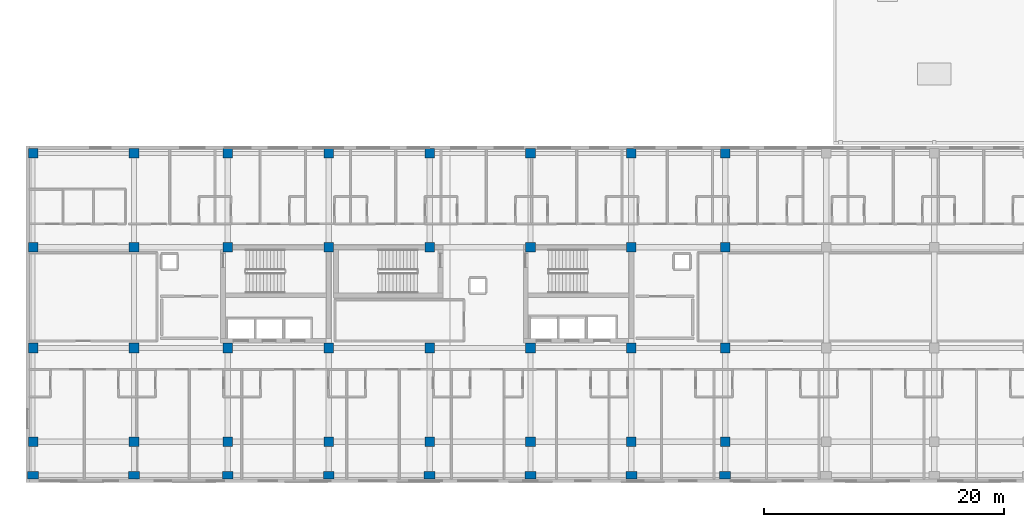
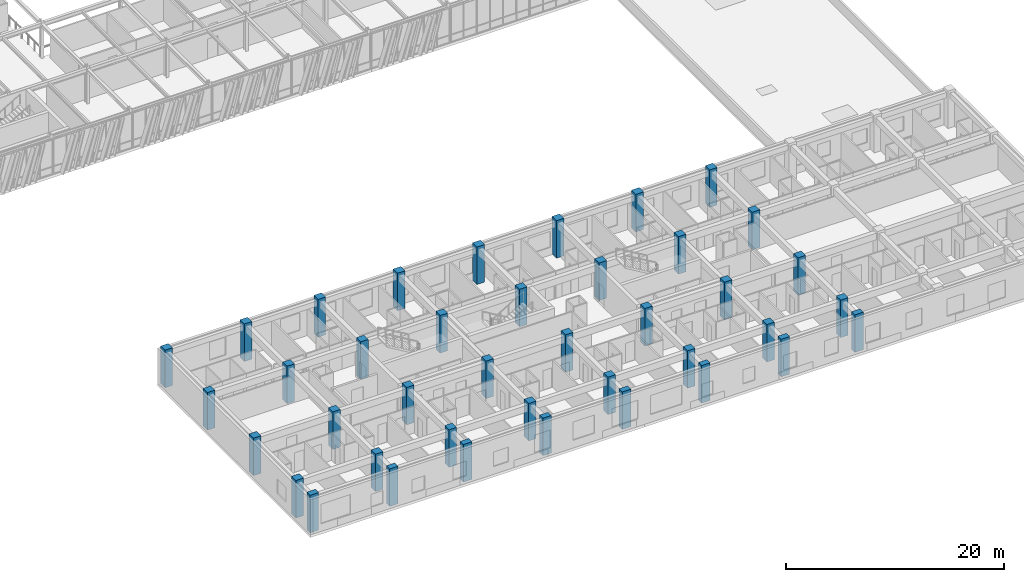
# One storey, part 1 of 127: 40 columns.
"""IFC4 building model written with IfcOpenShell, lengths in metres."""

import ifcopenshell
import ifcopenshell.guid

model = None  # the IFC model being written
_history = None  # IfcOwnerHistory: only IFC2X3 demands one
_inside = {}  # id of a spatial element -> (the spatial element, [elements in it])
_under = {}  # id of a project, library or spatial element -> (it, [spatial elements below it])
_declared = {}  # id of a project -> (the project, [libraries it declares])
_typed = {}  # id of a type object -> (the type object, [elements of that type])
_made_of = {}  # id of a material, layer set ... -> (it, [elements and type objects made of it])


def new_model(schema):
    """Start an empty IFC model of exactly this schema.

    Asked for "IFC4X3", IfcOpenShell would pick the latest addendum, in which some entities
    have other attributes; the version numbers below select the first issue.
    IFC2X3 requires an IfcOwnerHistory on every rooted entity: one is made here for all.
    """
    global model, _history
    if schema == "IFC4X3":
        model = ifcopenshell.file(schema_version=(4, 3, 0, 0))
    else:
        model = ifcopenshell.file(schema=schema)
    _inside.clear()
    _under.clear()
    _declared.clear()
    _typed.clear()
    _made_of.clear()
    _history = None
    if model.schema == "IFC2X3":
        org = make("IfcOrganization", Name="unknown")
        user = make(
            "IfcPersonAndOrganization",
            ThePerson=make("IfcPerson", FamilyName="unknown"),
            TheOrganization=org,
        )
        app = make(
            "IfcApplication",
            ApplicationDeveloper=org,
            Version="unknown",
            ApplicationFullName="unknown",
            ApplicationIdentifier="unknown",
        )
        _history = make(
            "IfcOwnerHistory",
            OwningUser=user,
            OwningApplication=app,
            ChangeAction="ADDED",
            CreationDate=0,
        )
    return model


def make(cls, **values):
    """One entity of the class cls with the attributes given. An attribute that is None is left unset."""
    return model.create_entity(
        cls, **{name: value for name, value in values.items() if value is not None}
    )


def rooted(cls, **values):
    """An entity with a GlobalId (a new one), such as an element, a storey or a relation."""
    return make(cls, GlobalId=ifcopenshell.guid.new(), OwnerHistory=_history, **values)


def si_unit(unit_type, name, prefix=None):
    """IfcSIUnit, for example si_unit("LENGTHUNIT", "METRE", prefix="MILLI")."""
    return make("IfcSIUnit", UnitType=unit_type, Prefix=prefix, Name=name)


def assignment(units):
    """IfcUnitAssignment: the units of a project."""
    return None if units is None else make("IfcUnitAssignment", Units=units)


def point(xyz):
    """IfcCartesianPoint."""
    return None if xyz is None else make("IfcCartesianPoint", Coordinates=xyz)


def direction(xyz):
    """IfcDirection."""
    return None if xyz is None else make("IfcDirection", DirectionRatios=xyz)


def frame(location, z_axis=None, x_axis=None):
    """IfcAxis2Placement3D, a coordinate frame: its origin and axes. An axis left out is left unset."""
    return make(
        "IfcAxis2Placement3D",
        Location=point(location),
        Axis=direction(z_axis),
        RefDirection=direction(x_axis),
    )


def frame_2d(location, x_axis=None):
    """IfcAxis2Placement2D, a coordinate frame in the plane: its origin and x axis."""
    return make(
        "IfcAxis2Placement2D", Location=point(location), RefDirection=direction(x_axis)
    )


def origin():
    """The frame at (0, 0, 0) with its axes left unset."""
    return frame((0.0, 0.0, 0.0))


def origin_2d():
    """The frame at (0, 0) in the plane with its x axis left unset."""
    return frame_2d((0.0, 0.0))


def place(relative_to, where):
    """IfcLocalPlacement: puts the frame where relative to a parent placement (None: the world)."""
    return make(
        "IfcLocalPlacement", PlacementRelTo=relative_to, RelativePlacement=where
    )


def context(
    kind, dimensions, precision=None, world=None, true_north=None, identifier=None
):
    """IfcGeometricRepresentationContext, for example the 3D "Model" context."""
    return make(
        "IfcGeometricRepresentationContext",
        ContextIdentifier=identifier,
        ContextType=kind,
        CoordinateSpaceDimension=dimensions,
        Precision=precision,
        WorldCoordinateSystem=world,
        TrueNorth=true_north,
    )


def subcontext(parent, identifier, kind, view, scale=None):
    """IfcGeometricRepresentationSubContext, for example "Body" below "Model"."""
    return make(
        "IfcGeometricRepresentationSubContext",
        ContextIdentifier=identifier,
        ContextType=kind,
        ParentContext=parent,
        TargetScale=scale,
        TargetView=view,
    )


def project(units=None, contexts=None):
    """IfcProject with its units and contexts."""
    return rooted(
        "IfcProject",
        Name="project",
        RepresentationContexts=contexts,
        UnitsInContext=assignment(units),
    )


def spatial(cls, under=None, at=None, **own):
    """A site, building, storey or space (cls), placed at a placement, below another one or the project."""
    s = rooted(cls, ObjectPlacement=at, **own)
    if under is not None:
        _under.setdefault(under.id(), (under, []))[1].append(s)
    return s


def profile(cls, at=None, kind="AREA", **sizes):
    """A parametric profile (cls). Its sizes go by their IFC names, for example OverallWidth=200.0."""
    return make(cls, ProfileType=kind, Position=at, **sizes)


def rectangle(**sizes):
    """IfcRectangleProfileDef."""
    return profile("IfcRectangleProfileDef", **sizes)


def extrude(swept, where, along, depth):
    """IfcExtrudedAreaSolid: the profile swept, set in the frame where, extruded along a direction by depth."""
    return make(
        "IfcExtrudedAreaSolid",
        SweptArea=swept,
        Position=where,
        ExtrudedDirection=direction(along),
        Depth=depth,
    )


def shape(context_of_items, identifier, shape_type, items):
    """IfcShapeRepresentation: the items that make up one representation, for example the "Body"."""
    return make(
        "IfcShapeRepresentation",
        ContextOfItems=context_of_items,
        RepresentationIdentifier=identifier,
        RepresentationType=shape_type,
        Items=items,
    )


def material(Name=None, Category=None):
    """IfcMaterial."""
    return make("IfcMaterial", Name=Name, Category=Category)


def material_profile(
    of_material, cross_section, Name=None, Category=None, Priority=None
):
    """IfcMaterialProfile: a cross section and its material."""
    return make(
        "IfcMaterialProfile",
        Name=Name,
        Material=of_material,
        Profile=cross_section,
        Priority=Priority,
        Category=Category,
    )


def profile_set(profiles, Name=None, composite=None):
    """IfcMaterialProfileSet."""
    return make(
        "IfcMaterialProfileSet",
        Name=Name,
        MaterialProfiles=profiles,
        CompositeProfile=composite,
    )


def made_of(thing, what):
    """Note that an element or type object is made of a material, layer set ...; save() writes the relation."""
    if what is not None:
        _made_of.setdefault(what.id(), (what, []))[1].append(thing)
    return thing


def type_object(cls, material=None, **own):
    """A type object (cls), such as IfcWallType, which elements share."""
    return made_of(rooted(cls, **own), material)


def element(
    cls,
    number,
    at=None,
    inside=None,
    cuts=None,
    type_object=None,
    material=None,
    context=None,
    identifier="Body",
    shape_type=None,
    held_by="IfcProductDefinitionShape",
    body=None,
    shapes=None,
    **own,
):
    """One element of the class cls, such as IfcWall. Its Tag is "e" and its number.

    at: its placement. inside: the storey or other place that contains it. cuts: it is an
    opening in that element (IfcRelVoidsElement). A single representation is given by context,
    identifier, shape_type and body (its items); several are given by shapes. held_by: the class
    of the entity that holds the representations. save() writes the other relations.
    """
    e = rooted(cls, Tag="e%d" % number, ObjectPlacement=at, **own)
    if body is not None:
        shapes = [shape(context, identifier, shape_type, body)]
    if shapes is not None:
        e.Representation = make(held_by, Representations=shapes)
    if inside is not None:
        _inside.setdefault(inside.id(), (inside, []))[1].append(e)
    if cuts is not None:
        rooted(
            "IfcRelVoidsElement", RelatingBuildingElement=cuts, RelatedOpeningElement=e
        )
    if type_object is not None:
        _typed.setdefault(type_object.id(), (type_object, []))[1].append(e)
    return made_of(e, material)


def aggregate(whole, parts):
    """IfcRelAggregates: a whole, such as a stair, and the parts it consists of."""
    return rooted("IfcRelAggregates", RelatingObject=whole, RelatedObjects=parts)


def save(model, path):
    """Write the relations noted so far, then the file.

    IfcRelAggregates (storeys below a building ...), IfcRelContainedInSpatialStructure (elements
    in a storey), IfcRelDefinesByType, IfcRelAssociatesMaterial and IfcRelDeclares: one each for
    every whole, place, type object, material and project.
    """
    for whole, parts in _under.values():
        aggregate(whole, parts)
    for where, things in _inside.values():
        rooted(
            "IfcRelContainedInSpatialStructure",
            RelatedElements=things,
            RelatingStructure=where,
        )
    for kind, things in _typed.values():
        rooted("IfcRelDefinesByType", RelatedObjects=things, RelatingType=kind)
    for what, things in _made_of.values():
        rooted("IfcRelAssociatesMaterial", RelatedObjects=things, RelatingMaterial=what)
    for by, libraries in _declared.values():
        rooted("IfcRelDeclares", RelatingContext=by, RelatedDefinitions=libraries)
    model.write(path)


model = new_model("IFC4")

# Units and contexts
model_context = context("Model", 3, precision=1e-05, world=origin(), true_north=direction((0.0, 1.0)))
body_context = subcontext(model_context, "Body", "Model", "MODEL_VIEW")
ifc_project = project(units=[si_unit("LENGTHUNIT", "METRE"), si_unit("AREAUNIT", "SQUARE_METRE"), si_unit("VOLUMEUNIT", "CUBIC_METRE"), si_unit("PLANEANGLEUNIT", "RADIAN"), si_unit("MASSUNIT", "GRAM", prefix="KILO")], contexts=[model_context])

# Site, building, storey
site_placement = place(None, origin())
site = spatial("IfcSite", under=ifc_project, at=site_placement, CompositionType="ELEMENT")
building_placement = place(site_placement, origin())
building = spatial("IfcBuilding", under=site, at=building_placement, Name="Zayran Congress Hotel", CompositionType="ELEMENT")
storey_placement = place(building_placement, frame((0.0, 0.0, 10.800048828125)))
storey = spatial("IfcBuildingStorey", under=building, at=storey_placement, Name="L02", CompositionType="ELEMENT", Elevation=10.800048828125)

# Columns
ifc_material = material(Name="Concrete C40/50", Category="concrete")
ifc_material_profile_1 = material_profile(ifc_material, rectangle(XDim=0.800048828125, YDim=0.800048828125, at=origin_2d()), Name="RC 800x800")
ifc_profile_set_1 = profile_set([ifc_material_profile_1], Name="Concrete C40/50")
column_type_1 = type_object("IfcColumnType", Name="TP-CL-02", PredefinedType="COLUMN", material=ifc_profile_set_1)
for number, where, z_axis, x_axis, name in (
    (1, (9.0, 9.39990234375, 0.0), (0.0, 0.0, 1.0), (1.0, 0.0, 0.0), "COL-V5-L02-0988"),
    (2, (9.0, 17.199951171875, 0.0), (0.0, 0.0, 1.0), (1.0, 0.0, 0.0), "COL-V5-L02-0989"),
    (3, (9.0, 25.60009765625, 0.0), (0.0, 0.0, 1.0), (1.0, 0.0, 0.0), "COL-V5-L02-0990"),
    (4, (9.0, 33.39990234375, 0.0), (0.0, 0.0, 1.0), (1.0, 0.0, 0.0), "COL-V5-L02-0991"),
    (5, (17.39990234375, 9.39990234375, 0.0), (0.0, 0.0, 1.0), (1.0, 0.0, 0.0), "COL-V5-L02-0993"),
    (6, (17.39990234375, 17.199951171875, 0.0), (0.0, 0.0, 1.0), (1.0, 0.0, 0.0), "COL-V5-L02-0994"),
    (7, (17.39990234375, 25.60009765625, 0.0), (0.0, 0.0, 1.0), (1.0, 0.0, 0.0), "COL-V5-L02-0995"),
    (8, (17.39990234375, 33.39990234375, 0.0), (0.0, 0.0, 1.0), (1.0, 0.0, 0.0), "COL-V5-L02-0996"),
    (9, (25.199951171875, 9.39990234375, 0.0), (0.0, 0.0, 1.0), (1.0, 0.0, 0.0), "COL-V5-L02-0998"),
    (10, (25.199951171875, 17.199951171875, 0.0), (0.0, 0.0, 1.0), (1.0, 0.0, 0.0), "COL-V5-L02-0999"),
    (11, (25.199951171875, 25.60009765625, 0.0), (0.0, 0.0, 1.0), (1.0, 0.0, 0.0), "COL-V5-L02-1000"),
    (12, (25.199951171875, 33.39990234375, 0.0), (0.0, 0.0, 1.0), (1.0, 0.0, 0.0), "COL-V5-L02-1001"),
    (13, (33.60009765625, 9.39990234375, 0.0), (0.0, 0.0, 1.0), (1.0, 0.0, 0.0), "COL-V5-L02-1003"),
    (14, (33.60009765625, 17.199951171875, 0.0), (0.0, 0.0, 1.0), (1.0, 0.0, 0.0), "COL-V5-L02-1004"),
    (15, (33.60009765625, 25.60009765625, 0.0), (0.0, 0.0, 1.0), (1.0, 0.0, 0.0), "COL-V5-L02-1005"),
    (16, (33.60009765625, 33.39990234375, 0.0), (0.0, 0.0, 1.0), (1.0, 0.0, 0.0), "COL-V5-L02-1006"),
    (17, (42.0, 9.39990234375, 0.0), (0.0, 0.0, 1.0), (1.0, 0.0, 0.0), "COL-V5-L02-1008"),
    (18, (42.0, 17.199951171875, 0.0), (0.0, 0.0, 1.0), (1.0, 0.0, 0.0), "COL-V5-L02-1009"),
    (19, (42.0, 25.60009765625, 0.0), (0.0, 0.0, 1.0), (1.0, 0.0, 0.0), "COL-V5-L02-1010"),
    (20, (42.0, 33.39990234375, 0.0), (0.0, 0.0, 1.0), (1.0, 0.0, 0.0), "COL-V5-L02-1011"),
    (21, (50.39990234375, 9.39990234375, 0.0), (0.0, 0.0, 1.0), (1.0, 0.0, 0.0), "COL-V5-L02-1013"),
    (22, (50.39990234375, 17.199951171875, 0.0), (0.0, 0.0, 1.0), (1.0, 0.0, 0.0), "COL-V5-L02-1014"),
    (23, (50.39990234375, 25.60009765625, 0.0), (0.0, 0.0, 1.0), (1.0, 0.0, 0.0), "COL-V5-L02-1015"),
    (24, (50.39990234375, 33.39990234375, 0.0), (0.0, 0.0, 1.0), (1.0, 0.0, 0.0), "COL-V5-L02-1016"),
    (25, (58.800048828125, 9.39990234375, 0.0), (0.0, 0.0, 1.0), (1.0, 0.0, 0.0), "COL-V5-L02-1018"),
    (26, (58.800048828125, 17.199951171875, 0.0), (0.0, 0.0, 1.0), (1.0, 0.0, 0.0), "COL-V5-L02-1019"),
    (27, (58.800048828125, 25.60009765625, 0.0), (0.0, 0.0, 1.0), (1.0, 0.0, 0.0), "COL-V5-L02-1020"),
    (28, (58.800048828125, 33.39990234375, 0.0), (0.0, 0.0, 1.0), (1.0, 0.0, 0.0), "COL-V5-L02-1021"),
    (29, (66.60009765625, 9.39990234375, 0.0), (0.0, 0.0, 1.0), (1.0, 0.0, 0.0), "COL-V5-L02-1023"),
    (30, (66.60009765625, 17.199951171875, 0.0), (0.0, 0.0, 1.0), (1.0, 0.0, 0.0), "COL-V5-L02-1024"),
    (31, (66.60009765625, 25.60009765625, 0.0), (0.0, 0.0, 1.0), (1.0, 0.0, 0.0), "COL-V5-L02-1025"),
    (32, (66.60009765625, 33.39990234375, 0.0), (0.0, 0.0, 1.0), (1.0, 0.0, 0.0), "COL-V5-L02-1026"),
):
    element("IfcColumn", number, at=place(storey_placement, frame(where, z_axis=z_axis, x_axis=x_axis)), inside=storey, type_object=column_type_1, Name=name, PredefinedType="COLUMN", context=body_context, shape_type="SweptSolid", body=[
        extrude(rectangle(XDim=0.800048828125, YDim=0.800048828125, at=origin_2d()), origin(), (0.0, 0.0, 1.0), 4.199951171875),
    ])
ifc_material_profile_2 = material_profile(ifc_material, rectangle(XDim=0.60009765625, YDim=0.89990234375, at=origin_2d()), Name="RC 900x600")
ifc_profile_set_2 = profile_set([ifc_material_profile_2], Name="Concrete C40/50")
column_type_2 = type_object("IfcColumnType", Name="TP-CL-05", PredefinedType="COLUMN", material=ifc_profile_set_2)
for number, where, z_axis, x_axis, name in (
    (33, (9.0, 6.60009765625, 0.0), (0.0, 0.0, 1.0), (0.0, 1.0, 0.0), "COL-V5-L02-0987"),
    (34, (17.39990234375, 6.60009765625, 0.0), (0.0, 0.0, 1.0), (0.0, 1.0, 0.0), "COL-V5-L02-0992"),
    (35, (25.199951171875, 6.60009765625, 0.0), (0.0, 0.0, 1.0), (0.0, 1.0, 0.0), "COL-V5-L02-0997"),
    (36, (33.60009765625, 6.60009765625, 0.0), (0.0, 0.0, 1.0), (0.0, 1.0, 0.0), "COL-V5-L02-1002"),
    (37, (42.0, 6.60009765625, 0.0), (0.0, 0.0, 1.0), (0.0, 1.0, 0.0), "COL-V5-L02-1007"),
    (38, (50.39990234375, 6.60009765625, 0.0), (0.0, 0.0, 1.0), (0.0, 1.0, 0.0), "COL-V5-L02-1012"),
    (39, (58.800048828125, 6.60009765625, 0.0), (0.0, 0.0, 1.0), (0.0, 1.0, 0.0), "COL-V5-L02-1017"),
    (40, (66.60009765625, 6.60009765625, 0.0), (0.0, 0.0, 1.0), (0.0, 1.0, 0.0), "COL-V5-L02-1022"),
):
    element("IfcColumn", number, at=place(storey_placement, frame(where, z_axis=z_axis, x_axis=x_axis)), inside=storey, type_object=column_type_2, Name=name, PredefinedType="COLUMN", context=body_context, shape_type="SweptSolid", body=[
        extrude(rectangle(XDim=0.60009765625, YDim=0.89990234375, at=origin_2d()), origin(), (0.0, 0.0, 1.0), 4.199951171875),
    ])

save(model, "model.ifc")
